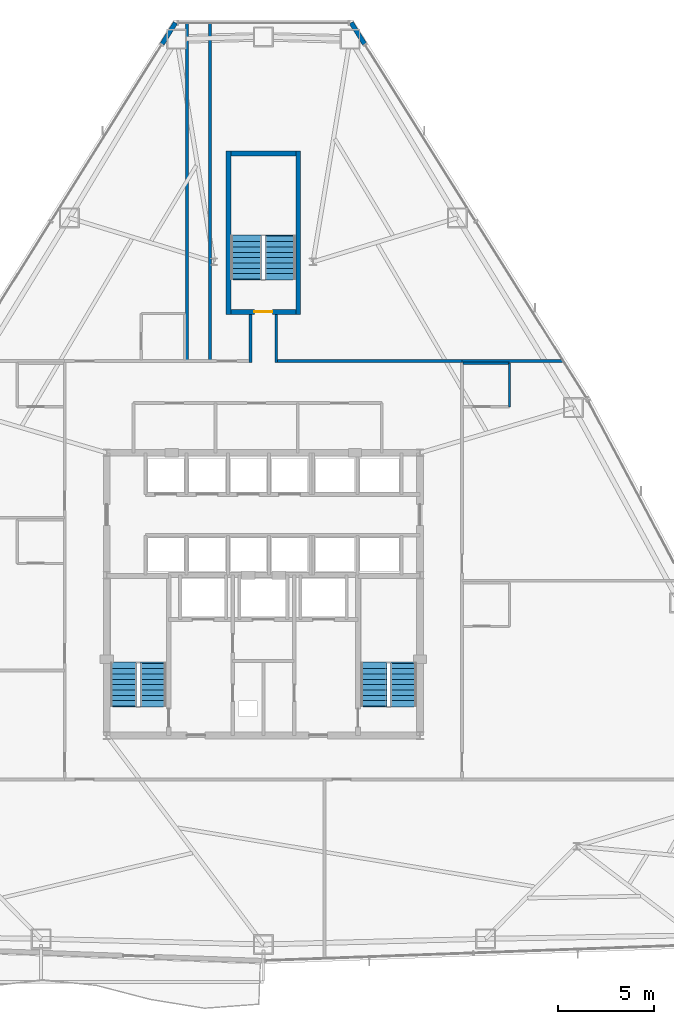
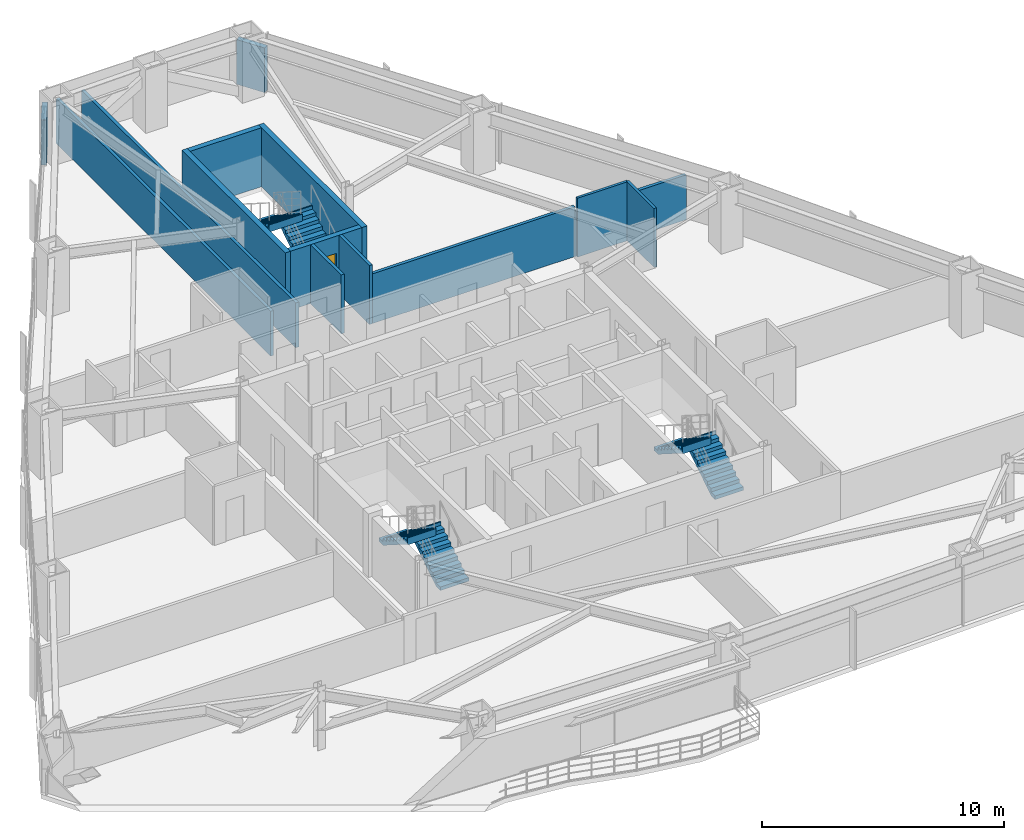
# One storey, part 11 of 13: 14 walls, 6 stair flights, 1 door, 1 opening, 3 elements without a shape of their own.
"""IFC4 building model written with IfcOpenShell, lengths in metres."""

import ifcopenshell
import ifcopenshell.guid

model = None  # the IFC model being written
_history = None  # IfcOwnerHistory: only IFC2X3 demands one
_inside = {}  # id of a spatial element -> (the spatial element, [elements in it])
_under = {}  # id of a project, library or spatial element -> (it, [spatial elements below it])
_declared = {}  # id of a project -> (the project, [libraries it declares])
_typed = {}  # id of a type object -> (the type object, [elements of that type])
_made_of = {}  # id of a material, layer set ... -> (it, [elements and type objects made of it])


def new_model(schema):
    """Start an empty IFC model of exactly this schema.

    Asked for "IFC4X3", IfcOpenShell would pick the latest addendum, in which some entities
    have other attributes; the version numbers below select the first issue.
    IFC2X3 requires an IfcOwnerHistory on every rooted entity: one is made here for all.
    """
    global model, _history
    if schema == "IFC4X3":
        model = ifcopenshell.file(schema_version=(4, 3, 0, 0))
    else:
        model = ifcopenshell.file(schema=schema)
    _inside.clear()
    _under.clear()
    _declared.clear()
    _typed.clear()
    _made_of.clear()
    _history = None
    if model.schema == "IFC2X3":
        org = make("IfcOrganization", Name="unknown")
        user = make(
            "IfcPersonAndOrganization",
            ThePerson=make("IfcPerson", FamilyName="unknown"),
            TheOrganization=org,
        )
        app = make(
            "IfcApplication",
            ApplicationDeveloper=org,
            Version="unknown",
            ApplicationFullName="unknown",
            ApplicationIdentifier="unknown",
        )
        _history = make(
            "IfcOwnerHistory",
            OwningUser=user,
            OwningApplication=app,
            ChangeAction="ADDED",
            CreationDate=0,
        )
    return model


def make(cls, **values):
    """One entity of the class cls with the attributes given. An attribute that is None is left unset."""
    return model.create_entity(
        cls, **{name: value for name, value in values.items() if value is not None}
    )


def rooted(cls, **values):
    """An entity with a GlobalId (a new one), such as an element, a storey or a relation."""
    return make(cls, GlobalId=ifcopenshell.guid.new(), OwnerHistory=_history, **values)


def si_unit(unit_type, name, prefix=None):
    """IfcSIUnit, for example si_unit("LENGTHUNIT", "METRE", prefix="MILLI")."""
    return make("IfcSIUnit", UnitType=unit_type, Prefix=prefix, Name=name)


def assignment(units):
    """IfcUnitAssignment: the units of a project."""
    return None if units is None else make("IfcUnitAssignment", Units=units)


def point(xyz):
    """IfcCartesianPoint."""
    return None if xyz is None else make("IfcCartesianPoint", Coordinates=xyz)


def direction(xyz):
    """IfcDirection."""
    return None if xyz is None else make("IfcDirection", DirectionRatios=xyz)


def frame(location, z_axis=None, x_axis=None):
    """IfcAxis2Placement3D, a coordinate frame: its origin and axes. An axis left out is left unset."""
    return make(
        "IfcAxis2Placement3D",
        Location=point(location),
        Axis=direction(z_axis),
        RefDirection=direction(x_axis),
    )


def frame_2d(location, x_axis=None):
    """IfcAxis2Placement2D, a coordinate frame in the plane: its origin and x axis."""
    return make(
        "IfcAxis2Placement2D", Location=point(location), RefDirection=direction(x_axis)
    )


def origin():
    """The frame at (0, 0, 0) with its axes left unset."""
    return frame((0.0, 0.0, 0.0))


def place(relative_to, where):
    """IfcLocalPlacement: puts the frame where relative to a parent placement (None: the world)."""
    return make(
        "IfcLocalPlacement", PlacementRelTo=relative_to, RelativePlacement=where
    )


def context(
    kind, dimensions, precision=None, world=None, true_north=None, identifier=None
):
    """IfcGeometricRepresentationContext, for example the 3D "Model" context."""
    return make(
        "IfcGeometricRepresentationContext",
        ContextIdentifier=identifier,
        ContextType=kind,
        CoordinateSpaceDimension=dimensions,
        Precision=precision,
        WorldCoordinateSystem=world,
        TrueNorth=true_north,
    )


def subcontext(parent, identifier, kind, view, scale=None):
    """IfcGeometricRepresentationSubContext, for example "Body" below "Model"."""
    return make(
        "IfcGeometricRepresentationSubContext",
        ContextIdentifier=identifier,
        ContextType=kind,
        ParentContext=parent,
        TargetScale=scale,
        TargetView=view,
    )


def project(units=None, contexts=None):
    """IfcProject with its units and contexts."""
    return rooted(
        "IfcProject",
        Name="project",
        RepresentationContexts=contexts,
        UnitsInContext=assignment(units),
    )


def spatial(cls, under=None, at=None, **own):
    """A site, building, storey or space (cls), placed at a placement, below another one or the project."""
    s = rooted(cls, ObjectPlacement=at, **own)
    if under is not None:
        _under.setdefault(under.id(), (under, []))[1].append(s)
    return s


def polyline(points):
    """IfcPolyline through the points."""
    return make("IfcPolyline", Points=[point(p) for p in points])


def profile(cls, at=None, kind="AREA", **sizes):
    """A parametric profile (cls). Its sizes go by their IFC names, for example OverallWidth=200.0."""
    return make(cls, ProfileType=kind, Position=at, **sizes)


def rectangle(**sizes):
    """IfcRectangleProfileDef."""
    return profile("IfcRectangleProfileDef", **sizes)


def outline(outer, holes=None, kind="AREA"):
    """IfcArbitraryClosedProfileDef: a profile drawn as a closed curve; with holes, ...WithVoids."""
    if holes is None:
        return make("IfcArbitraryClosedProfileDef", ProfileType=kind, OuterCurve=outer)
    return make(
        "IfcArbitraryProfileDefWithVoids",
        ProfileType=kind,
        OuterCurve=outer,
        InnerCurves=holes,
    )


def extrude(swept, where, along, depth):
    """IfcExtrudedAreaSolid: the profile swept, set in the frame where, extruded along a direction by depth."""
    return make(
        "IfcExtrudedAreaSolid",
        SweptArea=swept,
        Position=where,
        ExtrudedDirection=direction(along),
        Depth=depth,
    )


def shape(context_of_items, identifier, shape_type, items):
    """IfcShapeRepresentation: the items that make up one representation, for example the "Body"."""
    return make(
        "IfcShapeRepresentation",
        ContextOfItems=context_of_items,
        RepresentationIdentifier=identifier,
        RepresentationType=shape_type,
        Items=items,
    )


def material(Name=None, Category=None):
    """IfcMaterial."""
    return make("IfcMaterial", Name=Name, Category=Category)


def layer(
    of_material, thickness, ventilated=None, Name=None, Category=None, Priority=None
):
    """IfcMaterialLayer: one layer of a wall or slab, of a material (None: an air gap)."""
    return make(
        "IfcMaterialLayer",
        Material=of_material,
        LayerThickness=thickness,
        IsVentilated=ventilated,
        Name=Name,
        Category=Category,
        Priority=Priority,
    )


def layer_set(layers, Name=None):
    """IfcMaterialLayerSet."""
    return make("IfcMaterialLayerSet", MaterialLayers=layers, LayerSetName=Name)


def made_of(thing, what):
    """Note that an element or type object is made of a material, layer set ...; save() writes the relation."""
    if what is not None:
        _made_of.setdefault(what.id(), (what, []))[1].append(thing)
    return thing


def type_object(cls, material=None, **own):
    """A type object (cls), such as IfcWallType, which elements share."""
    return made_of(rooted(cls, **own), material)


def element(
    cls,
    number,
    at=None,
    inside=None,
    cuts=None,
    type_object=None,
    material=None,
    context=None,
    identifier="Body",
    shape_type=None,
    held_by="IfcProductDefinitionShape",
    body=None,
    shapes=None,
    **own,
):
    """One element of the class cls, such as IfcWall. Its Tag is "e" and its number.

    at: its placement. inside: the storey or other place that contains it. cuts: it is an
    opening in that element (IfcRelVoidsElement). A single representation is given by context,
    identifier, shape_type and body (its items); several are given by shapes. held_by: the class
    of the entity that holds the representations. save() writes the other relations.
    """
    e = rooted(cls, Tag="e%d" % number, ObjectPlacement=at, **own)
    if body is not None:
        shapes = [shape(context, identifier, shape_type, body)]
    if shapes is not None:
        e.Representation = make(held_by, Representations=shapes)
    if inside is not None:
        _inside.setdefault(inside.id(), (inside, []))[1].append(e)
    if cuts is not None:
        rooted(
            "IfcRelVoidsElement", RelatingBuildingElement=cuts, RelatedOpeningElement=e
        )
    if type_object is not None:
        _typed.setdefault(type_object.id(), (type_object, []))[1].append(e)
    return made_of(e, material)


def fill(opening, filler):
    """IfcRelFillsElement: the door or window that sits in an opening."""
    return rooted(
        "IfcRelFillsElement",
        RelatingOpeningElement=opening,
        RelatedBuildingElement=filler,
    )


def aggregate(whole, parts):
    """IfcRelAggregates: a whole, such as a stair, and the parts it consists of."""
    return rooted("IfcRelAggregates", RelatingObject=whole, RelatedObjects=parts)


def save(model, path):
    """Write the relations noted so far, then the file.

    IfcRelAggregates (storeys below a building ...), IfcRelContainedInSpatialStructure (elements
    in a storey), IfcRelDefinesByType, IfcRelAssociatesMaterial and IfcRelDeclares: one each for
    every whole, place, type object, material and project.
    """
    for whole, parts in _under.values():
        aggregate(whole, parts)
    for where, things in _inside.values():
        rooted(
            "IfcRelContainedInSpatialStructure",
            RelatedElements=things,
            RelatingStructure=where,
        )
    for kind, things in _typed.values():
        rooted("IfcRelDefinesByType", RelatedObjects=things, RelatingType=kind)
    for what, things in _made_of.values():
        rooted("IfcRelAssociatesMaterial", RelatedObjects=things, RelatingMaterial=what)
    for by, libraries in _declared.values():
        rooted("IfcRelDeclares", RelatingContext=by, RelatedDefinitions=libraries)
    model.write(path)


model = new_model("IFC4")

# Units and contexts
model_context = context("Model", 3, precision=1e-05, world=origin(), true_north=direction((0.0, 1.0)))
body_context = subcontext(model_context, "Body", "Model", "MODEL_VIEW")
ifc_project = project(units=[si_unit("LENGTHUNIT", "METRE"), si_unit("AREAUNIT", "SQUARE_METRE"), si_unit("VOLUMEUNIT", "CUBIC_METRE"), si_unit("PLANEANGLEUNIT", "RADIAN"), si_unit("MASSUNIT", "GRAM", prefix="KILO")], contexts=[model_context])

# Site, building, storey
site_placement = place(None, origin())
site = spatial("IfcSite", under=ifc_project, at=site_placement, CompositionType="ELEMENT")
building_placement = place(site_placement, origin())
building = spatial("IfcBuilding", under=site, at=building_placement, Name="Varakhsha Concourse Tower", CompositionType="ELEMENT")
storey_placement = place(building_placement, frame((0.0, 0.0, 92.60009765625)))
storey = spatial("IfcBuildingStorey", under=building, at=storey_placement, Name="L26", CompositionType="ELEMENT", Elevation=92.60009765625)

# Walls
ifc_material_1 = material(Name="Concrete fc 45 MPa", Category="concrete")
ifc_layer_1 = layer(ifc_material_1, 0.239990234375, Name="WL-EXT-CRN-240")
ifc_layer_set_1 = layer_set([ifc_layer_1], Name="Concrete fc 45 MPa")
wall_type_1 = type_object("IfcWallType", Name="WL-EXT-CRN-240", PredefinedType="SHEAR", material=ifc_layer_set_1)
for number, where, z_axis, x_axis, name in (
    (1, (35.39892578125, 53.7158203125, 0.0), (0.0, 0.0, 1.0), (-0.531234768042, -0.847224658059, 0.0), "L26 Wind-Corner Shoulder Wall F2"),
    (2, (45.298828125, 52.60302734375, 0.0), (0.0, 0.0, 1.0), (-0.531234768042, 0.847224658059, 0.0), "L26 Wind-Corner Shoulder Wall F9"),
):
    element("IfcWall", number, at=place(storey_placement, frame(where, z_axis=z_axis, x_axis=x_axis)), inside=storey, type_object=wall_type_1, Name=name, PredefinedType="SHEAR", context=body_context, shape_type="SweptSolid", body=[
        extrude(rectangle(XDim=1.3134765625, YDim=0.239990234375, at=frame_2d((0.65673828125, 0.0))), origin(), (0.0, 0.0, 1.0), 2.2529296875),
    ])
ifc_material_2 = material(Name="Acoustic Gypsum Board Partition Assembly", Category="gypsum")
ifc_layer_2 = layer(ifc_material_2, 0.1201171875, Name="WL-PART-120")
ifc_layer_set_2 = layer_set([ifc_layer_2], Name="Acoustic Gypsum Board Partition Assembly")
wall_type_2 = type_object("IfcWallType", Name="WL-PART-120", PredefinedType="PARTITIONING", material=ifc_layer_set_2)
wall_1_placement = place(storey_placement, frame((52.889892578125, 33.610107421875, 0.0), z_axis=(0.0, 0.0, 1.0), x_axis=(0.0, 1.0, 0.0)))
element("IfcWall", 3, at=wall_1_placement, inside=storey, type_object=wall_type_2, Name="L26 Wall ENSW-E-L26-H07", PredefinedType="PARTITIONING", context=body_context, shape_type="SweptSolid", body=[
    extrude(rectangle(XDim=2.27978515625, YDim=0.1201171875, at=frame_2d((1.139892578125, 0.0))), origin(), (0.0, 0.0, 1.0), 2.969970703125),
])
wall_2_placement = place(storey_placement, frame((50.4599609375, 35.889892578125, 0.0), z_axis=(0.0, 0.0, 1.0), x_axis=(1.0, 0.0, 0.0)))
element("IfcWall", 4, at=wall_2_placement, inside=storey, type_object=wall_type_2, Name="L26 Wall ENSW-N-L26-H07", PredefinedType="PARTITIONING", context=body_context, shape_type="SweptSolid", body=[
    extrude(rectangle(XDim=2.429931640625, YDim=0.1201171875, at=frame_2d((1.21484375, 0.0))), origin(), (0.0, 0.0, 1.0), 2.969970703125),
])
ifc_material_3 = material(Name="Fire-Rated Type X Gypsum Partition Assembly", Category="gypsum")
ifc_layer_3 = layer(ifc_material_3, 0.14990234375, Name="WL-PART-150")
ifc_layer_set_3 = layer_set([ifc_layer_3], Name="Fire-Rated Type X Gypsum Partition Assembly")
wall_type_3 = type_object("IfcWallType", Name="WL-PART-150", PredefinedType="PARTITIONING", material=ifc_layer_set_3)
wall_3_placement = place(storey_placement, frame((40.75, 36.0, 0.0), z_axis=(0.0, 0.0, 1.0), x_axis=(1.0, 0.0, 0.0)))
element("IfcWall", 5, at=wall_3_placement, inside=storey, type_object=wall_type_3, Name="L26 Wall CRW-N-L26-B", PredefinedType="PARTITIONING", context=body_context, shape_type="SweptSolid", body=[
    extrude(rectangle(XDim=9.64990234375, YDim=0.14990234375, at=frame_2d((4.824951171875, 0.0))), origin(), (0.0, 0.0, 1.0), 2.5029296875),
])
wall_4_placement = place(storey_placement, frame((50.39990234375, 36.0, 0.0), z_axis=(0.0, 0.0, 1.0), x_axis=(1.0, 0.0, 0.0)))
element("IfcWall", 6, at=wall_4_placement, inside=storey, type_object=wall_type_3, Name="L26 Wall HDIV-EBN-L26", PredefinedType="PARTITIONING", context=body_context, shape_type="SweptSolid", body=[
    extrude(rectangle(XDim=5.302978515625, YDim=0.14990234375, at=frame_2d((2.6513671875, 0.0))), origin(), (0.0, 0.0, 1.0), 2.2578125),
])
for number, where, z_axis, x_axis, name in (
    (7, (36.0, 36.0, 0.0), (0.0, 0.0, 1.0), (0.0, 1.0, 0.0), "L26 Wall HDIV-N1-L26"),
    (8, (37.199951171875, 36.0, 0.0), (0.0, 0.0, 1.0), (0.0, 1.0, 0.0), "L26 Wall HDIV-N2-L26"),
):
    element("IfcWall", number, at=place(storey_placement, frame(where, z_axis=z_axis, x_axis=x_axis)), inside=storey, type_object=wall_type_3, Name=name, PredefinedType="PARTITIONING", context=body_context, shape_type="SweptSolid", body=[
        extrude(rectangle(XDim=17.6943359375, YDim=0.14990234375, at=frame_2d((8.84716796875, 0.0))), origin(), (0.0, 0.0, 1.0), 2.2578125),
    ])
for number, where, z_axis, x_axis, name in (
    (9, (39.324951171875, 35.925048828125, 0.0), (0.0, 0.0, 1.0), (0.0, 1.0, 0.0), "L26 Wall STUB-W-L26"),
    (10, (40.675048828125, 35.925048828125, 0.0), (0.0, 0.0, 1.0), (0.0, 1.0, 0.0), "L26 Wall STUB-E-L26"),
):
    element("IfcWall", number, at=place(storey_placement, frame(where, z_axis=z_axis, x_axis=x_axis)), inside=storey, type_object=wall_type_3, Name=name, PredefinedType="PARTITIONING", context=body_context, shape_type="SweptSolid", body=[
        extrude(rectangle(XDim=2.52490234375, YDim=0.14990234375, at=frame_2d((1.262451171875, 0.0))), origin(), (0.0, 0.0, 1.0), 2.969970703125),
    ])
ifc_layer_4 = layer(ifc_material_1, 0.25, Name="WL-STAIR-250")
ifc_layer_set_4 = layer_set([ifc_layer_4], Name="Concrete fc 45 MPa")
wall_type_4 = type_object("IfcWallType", Name="WL-STAIR-250", PredefinedType="SHEAR", material=ifc_layer_set_4)
for number, where, z_axis, x_axis, name in (
    (11, (38.175048828125, 38.449951171875, 0.0), (0.0, 0.0, 1.0), (0.0, 1.0, 0.0), "L26 Wall SWALL-ST5-W-L26"),
    (12, (41.824951171875, 38.449951171875, 0.0), (0.0, 0.0, 1.0), (0.0, 1.0, 0.0), "L26 Wall SWALL-ST5-E-L26"),
):
    element("IfcWall", number, at=place(storey_placement, frame(where, z_axis=z_axis, x_axis=x_axis)), inside=storey, type_object=wall_type_4, Name=name, PredefinedType="SHEAR", context=body_context, shape_type="SweptSolid", body=[
        extrude(rectangle(XDim=8.550048828125, YDim=0.25, at=frame_2d((4.27490234375, 0.0))), origin(), (0.0, 0.0, 1.0), 2.969970703125),
    ])

# Wall, opening, door
wall_5_placement = place(storey_placement, frame((38.300048828125, 38.574951171875, 0.0), z_axis=(0.0, 0.0, 1.0), x_axis=(1.0, 0.0, 0.0)))
wall_5 = element("IfcWall", 13, at=wall_5_placement, inside=storey, type_object=wall_type_4, Name="L26 Wall SWALL-ST5-S-L26", PredefinedType="SHEAR", context=body_context, shape_type="SweptSolid", body=[
    extrude(rectangle(XDim=3.39990234375, YDim=0.25, at=frame_2d((1.699951171875, 0.0))), origin(), (0.0, 0.0, 1.0), 2.969970703125),
])
opening_placement = place(wall_5_placement, frame((1.22509765625, 0.0, 0.0)))
opening = element("IfcOpeningElement", 14, at=opening_placement, cuts=wall_5, Name="Opening DF-03", PredefinedType="OPENING", context=body_context, shape_type="SweptSolid", body=[
    extrude(rectangle(XDim=0.949951171875, YDim=2.10009765625, at=frame_2d((0.47509765625, 1.050048828125))), frame((0.0, 0.135009765625, 0.0), z_axis=(0.0, -1.0, 0.0), x_axis=(1.0, 0.0, 0.0)), (0.0, 0.0, 1.0), 0.27001953125),
])
ifc_material_4 = material(Name="Hollow Galvanised Steel Fire Door Assembly", Category="steel")
door_type = type_object("IfcDoorType", Name="DR-FD90-950", OperationType="NOTDEFINED", PredefinedType="DOOR", material=ifc_material_4)
door_placement = place(opening_placement, origin())
door = element("IfcDoor", 15, at=door_placement, inside=storey, type_object=door_type, Name="L26 Stair ST5 Fire Door", OperationType="SINGLE_SWING_RIGHT", OverallHeight=2.10009765625, OverallWidth=0.949951171875, PredefinedType="DOOR", context=body_context, shape_type="SweptSolid", body=[
    extrude(rectangle(XDim=0.949951171875, YDim=2.10009765625, at=frame_2d((0.47509765625, 1.050048828125))), frame((0.0, 0.02490234375, 0.0), z_axis=(0.0, -1.0, 0.0), x_axis=(1.0, 0.0, 0.0)), (0.0, 0.0, 1.0), 0.050048828125),
])
fill(opening, door)

# Wall
wall_6_placement = place(storey_placement, frame((38.300048828125, 46.875, 0.0), z_axis=(0.0, 0.0, 1.0), x_axis=(1.0, 0.0, 0.0)))
element("IfcWall", 16, at=wall_6_placement, inside=storey, type_object=wall_type_4, Name="L26 Wall SWALL-ST5-N-L26", PredefinedType="SHEAR", context=body_context, shape_type="SweptSolid", body=[
    extrude(rectangle(XDim=3.39990234375, YDim=0.25, at=frame_2d((1.699951171875, 0.0))), origin(), (0.0, 0.0, 1.0), 2.969970703125),
])

# Stair, stair flights
stair_type_1 = type_object("IfcStairType", Name="ST-DOGLEG-1360", PredefinedType="HALF_TURN_STAIR", material=ifc_material_1)
stair_1_placement = place(storey_placement, origin())
stair_1 = element("IfcStair", 17, at=stair_1_placement, inside=storey, type_object=stair_type_1, Name="L26 Protected Exit Stair ST1", PredefinedType="HALF_TURN_STAIR")
stair_flight_type_1 = type_object("IfcStairFlightType", Name="STF-1360-R1778", PredefinedType="STRAIGHT", material=ifc_material_1)
stair_flight_1_placement = place(storey_placement, frame((34.239990234375, 17.93994140625, 0.0), z_axis=(0.0, 0.0, 1.0), x_axis=(0.0, 1.0, 0.0)))
stair_flight_1 = element("IfcStairFlight", 18, at=stair_flight_1_placement, type_object=stair_flight_type_1, Name="ST1 flight 1", NumberOfRisers=9, NumberOfTreads=8, PredefinedType="STRAIGHT", RiserHeight=0.177777778, TreadLength=0.28, context=body_context, shape_type="SweptSolid", body=[
    extrude(outline(polyline([(-0.06005859375, 0.0), (-0.06005859375, 0.177734375), (0.0, 0.177734375), (0.280029296875, 0.177734375), (0.280029296875, 0.35546875), (0.56005859375, 0.35546875), (0.56005859375, 0.533447265625), (0.840087890625, 0.533447265625), (0.840087890625, 0.711181640625), (1.1201171875, 0.711181640625), (1.1201171875, 0.888916015625), (1.39990234375, 0.888916015625), (1.39990234375, 1.066650390625), (1.679931640625, 1.066650390625), (1.679931640625, 1.244384765625), (1.9599609375, 1.244384765625), (1.9599609375, 1.422119140625), (2.239990234375, 1.422119140625), (2.239990234375, 1.60009765625), (2.300048828125, 1.60009765625), (2.300048828125, 1.24462890625), (2.239990234375, 1.24462890625), (0.27978515625, 0.0), (-0.06005859375, 0.0)])), frame((0.0, 0.68017578125, 0.0), z_axis=(0.0, -1.0, 0.0), x_axis=(1.0, 0.0, 0.0)), (0.0, 0.0, 1.0), 1.360107421875),
])
stair_flight_2_placement = place(storey_placement, frame((32.679931640625, 20.179931640625, 1.599853515625), z_axis=(0.0, 0.0, 1.0), x_axis=(0.0, -1.0, 0.0)))
stair_flight_2 = element("IfcStairFlight", 19, at=stair_flight_2_placement, type_object=stair_flight_type_1, Name="ST1 flight 2", NumberOfRisers=9, NumberOfTreads=8, PredefinedType="STRAIGHT", RiserHeight=0.177777778, TreadLength=0.28, context=body_context, shape_type="SweptSolid", body=[
    extrude(outline(polyline([(-0.06005859375, 0.0), (-0.06005859375, 0.177734375), (0.0, 0.177734375), (0.280029296875, 0.177734375), (0.280029296875, 0.35546875), (0.56005859375, 0.35546875), (0.56005859375, 0.533447265625), (0.840087890625, 0.533447265625), (0.840087890625, 0.711181640625), (1.1201171875, 0.711181640625), (1.1201171875, 0.888916015625), (1.39990234375, 0.888916015625), (1.39990234375, 1.066650390625), (1.679931640625, 1.066650390625), (1.679931640625, 1.244384765625), (1.9599609375, 1.244384765625), (1.9599609375, 1.422119140625), (2.239990234375, 1.422119140625), (2.239990234375, 1.60009765625), (2.300048828125, 1.60009765625), (2.300048828125, 1.24462890625), (2.239990234375, 1.24462890625), (0.27978515625, 0.0), (-0.06005859375, 0.0)])), frame((0.0, 0.68017578125, 0.0), z_axis=(0.0, -1.0, 0.0), x_axis=(1.0, 0.0, 0.0)), (0.0, 0.0, 1.0), 1.360107421875),
])
aggregate(stair_1, [stair_flight_1, stair_flight_2])

stair_2_placement = place(storey_placement, origin())
stair_2 = element("IfcStair", 20, at=stair_2_placement, inside=storey, type_object=stair_type_1, Name="L26 Protected Exit Stair ST2", PredefinedType="HALF_TURN_STAIR")
stair_flight_3_placement = place(storey_placement, frame((47.340087890625, 17.93994140625, 0.0), z_axis=(0.0, 0.0, 1.0), x_axis=(0.0, 1.0, 0.0)))
stair_flight_3 = element("IfcStairFlight", 21, at=stair_flight_3_placement, type_object=stair_flight_type_1, Name="ST2 flight 1", NumberOfRisers=9, NumberOfTreads=8, PredefinedType="STRAIGHT", RiserHeight=0.177777778, TreadLength=0.28, context=body_context, shape_type="SweptSolid", body=[
    extrude(outline(polyline([(-0.06005859375, 0.0), (-0.06005859375, 0.177734375), (0.0, 0.177734375), (0.280029296875, 0.177734375), (0.280029296875, 0.35546875), (0.56005859375, 0.35546875), (0.56005859375, 0.533447265625), (0.840087890625, 0.533447265625), (0.840087890625, 0.711181640625), (1.1201171875, 0.711181640625), (1.1201171875, 0.888916015625), (1.39990234375, 0.888916015625), (1.39990234375, 1.066650390625), (1.679931640625, 1.066650390625), (1.679931640625, 1.244384765625), (1.9599609375, 1.244384765625), (1.9599609375, 1.422119140625), (2.239990234375, 1.422119140625), (2.239990234375, 1.60009765625), (2.300048828125, 1.60009765625), (2.300048828125, 1.24462890625), (2.239990234375, 1.24462890625), (0.27978515625, 0.0), (-0.06005859375, 0.0)])), frame((0.0, 0.68017578125, 0.0), z_axis=(0.0, -1.0, 0.0), x_axis=(1.0, 0.0, 0.0)), (0.0, 0.0, 1.0), 1.360107421875),
])
stair_flight_4_placement = place(storey_placement, frame((45.780029296875, 20.179931640625, 1.599853515625), z_axis=(0.0, 0.0, 1.0), x_axis=(0.0, -1.0, 0.0)))
stair_flight_4 = element("IfcStairFlight", 22, at=stair_flight_4_placement, type_object=stair_flight_type_1, Name="ST2 flight 2", NumberOfRisers=9, NumberOfTreads=8, PredefinedType="STRAIGHT", RiserHeight=0.177777778, TreadLength=0.28, context=body_context, shape_type="SweptSolid", body=[
    extrude(outline(polyline([(-0.06005859375, 0.0), (-0.06005859375, 0.177734375), (0.0, 0.177734375), (0.280029296875, 0.177734375), (0.280029296875, 0.35546875), (0.56005859375, 0.35546875), (0.56005859375, 0.533447265625), (0.840087890625, 0.533447265625), (0.840087890625, 0.711181640625), (1.1201171875, 0.711181640625), (1.1201171875, 0.888916015625), (1.39990234375, 0.888916015625), (1.39990234375, 1.066650390625), (1.679931640625, 1.066650390625), (1.679931640625, 1.244384765625), (1.9599609375, 1.244384765625), (1.9599609375, 1.422119140625), (2.239990234375, 1.422119140625), (2.239990234375, 1.60009765625), (2.300048828125, 1.60009765625), (2.300048828125, 1.24462890625), (2.239990234375, 1.24462890625), (0.27978515625, 0.0), (-0.06005859375, 0.0)])), frame((0.0, 0.68017578125, 0.0), z_axis=(0.0, -1.0, 0.0), x_axis=(1.0, 0.0, 0.0)), (0.0, 0.0, 1.0), 1.360107421875),
])
aggregate(stair_2, [stair_flight_3, stair_flight_4])

stair_type_2 = type_object("IfcStairType", Name="ST-DOGLEG-1600", PredefinedType="HALF_TURN_STAIR", material=ifc_material_1)
stair_3_placement = place(storey_placement, origin())
stair_3 = element("IfcStair", 23, at=stair_3_placement, inside=storey, type_object=stair_type_2, Name="L26 Protected Exit Stair ST5", PredefinedType="HALF_TURN_STAIR")
stair_flight_type_2 = type_object("IfcStairFlightType", Name="STF-1600-R1778", PredefinedType="STRAIGHT", material=ifc_material_1)
stair_flight_5_placement = place(storey_placement, frame((40.89990234375, 40.300048828125, 0.0), z_axis=(0.0, 0.0, 1.0), x_axis=(0.0, 1.0, 0.0)))
stair_flight_5 = element("IfcStairFlight", 24, at=stair_flight_5_placement, type_object=stair_flight_type_2, Name="ST5 flight 1", NumberOfRisers=9, NumberOfTreads=8, PredefinedType="STRAIGHT", RiserHeight=0.177777778, TreadLength=0.28, context=body_context, shape_type="SweptSolid", body=[
    extrude(outline(polyline([(-0.06005859375, 0.0), (-0.06005859375, 0.177734375), (0.0, 0.177734375), (0.280029296875, 0.177734375), (0.280029296875, 0.35546875), (0.56005859375, 0.35546875), (0.56005859375, 0.533447265625), (0.840087890625, 0.533447265625), (0.840087890625, 0.711181640625), (1.1201171875, 0.711181640625), (1.1201171875, 0.888916015625), (1.39990234375, 0.888916015625), (1.39990234375, 1.066650390625), (1.679931640625, 1.066650390625), (1.679931640625, 1.244384765625), (1.9599609375, 1.244384765625), (1.9599609375, 1.422119140625), (2.239990234375, 1.422119140625), (2.239990234375, 1.60009765625), (2.300048828125, 1.60009765625), (2.300048828125, 1.24462890625), (2.239990234375, 1.24462890625), (0.27978515625, 0.0), (-0.06005859375, 0.0)])), frame((0.0, 0.800048828125, 0.0), z_axis=(0.0, -1.0, 0.0), x_axis=(1.0, 0.0, 0.0)), (0.0, 0.0, 1.0), 1.60009765625),
])
stair_flight_6_placement = place(storey_placement, frame((39.10009765625, 42.5400390625, 1.599853515625), z_axis=(0.0, 0.0, 1.0), x_axis=(0.0, -1.0, 0.0)))
stair_flight_6 = element("IfcStairFlight", 25, at=stair_flight_6_placement, type_object=stair_flight_type_2, Name="ST5 flight 2", NumberOfRisers=9, NumberOfTreads=8, PredefinedType="STRAIGHT", RiserHeight=0.177777778, TreadLength=0.28, context=body_context, shape_type="SweptSolid", body=[
    extrude(outline(polyline([(-0.06005859375, 0.0), (-0.06005859375, 0.177734375), (0.0, 0.177734375), (0.280029296875, 0.177734375), (0.280029296875, 0.35546875), (0.56005859375, 0.35546875), (0.56005859375, 0.533447265625), (0.840087890625, 0.533447265625), (0.840087890625, 0.711181640625), (1.1201171875, 0.711181640625), (1.1201171875, 0.888916015625), (1.39990234375, 0.888916015625), (1.39990234375, 1.066650390625), (1.679931640625, 1.066650390625), (1.679931640625, 1.244384765625), (1.9599609375, 1.244384765625), (1.9599609375, 1.422119140625), (2.239990234375, 1.422119140625), (2.239990234375, 1.60009765625), (2.300048828125, 1.60009765625), (2.300048828125, 1.24462890625), (2.239990234375, 1.24462890625), (0.27978515625, 0.0), (-0.06005859375, 0.0)])), frame((0.0, 0.800048828125, 0.0), z_axis=(0.0, -1.0, 0.0), x_axis=(1.0, 0.0, 0.0)), (0.0, 0.0, 1.0), 1.60009765625),
])
aggregate(stair_3, [stair_flight_5, stair_flight_6])

save(model, "model.ifc")
